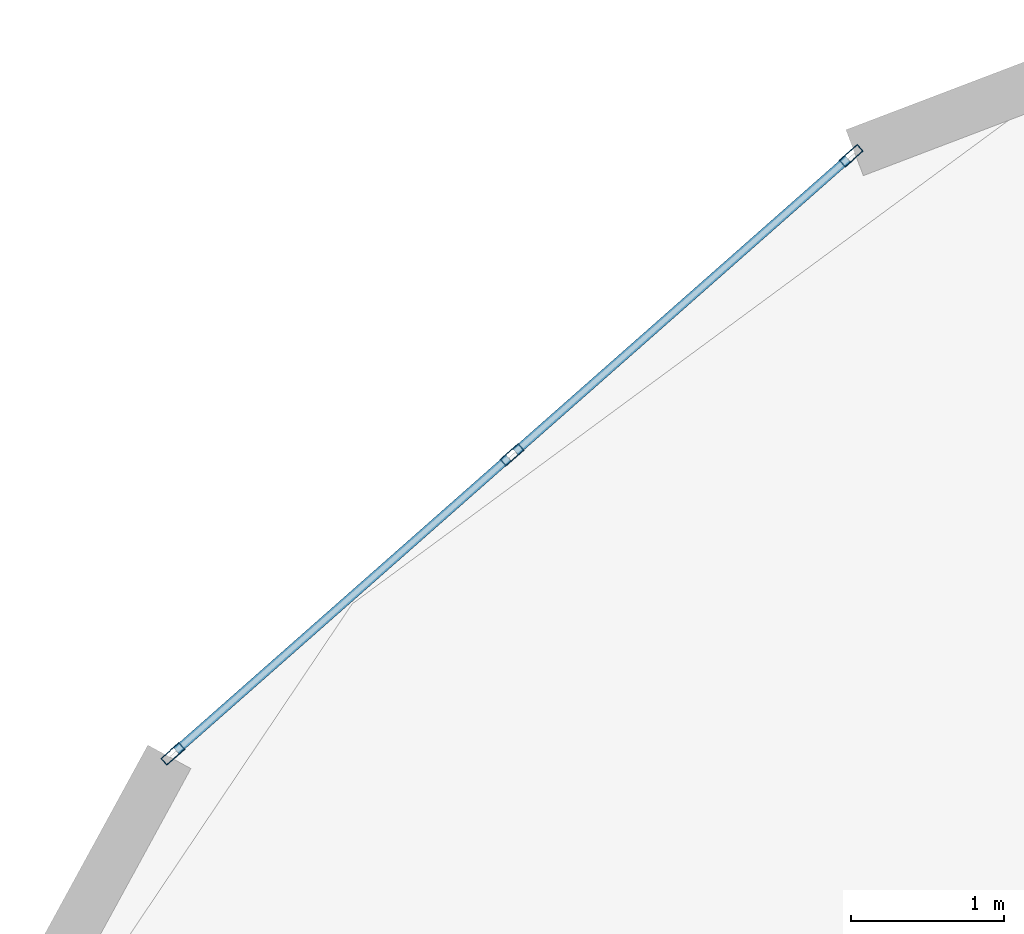
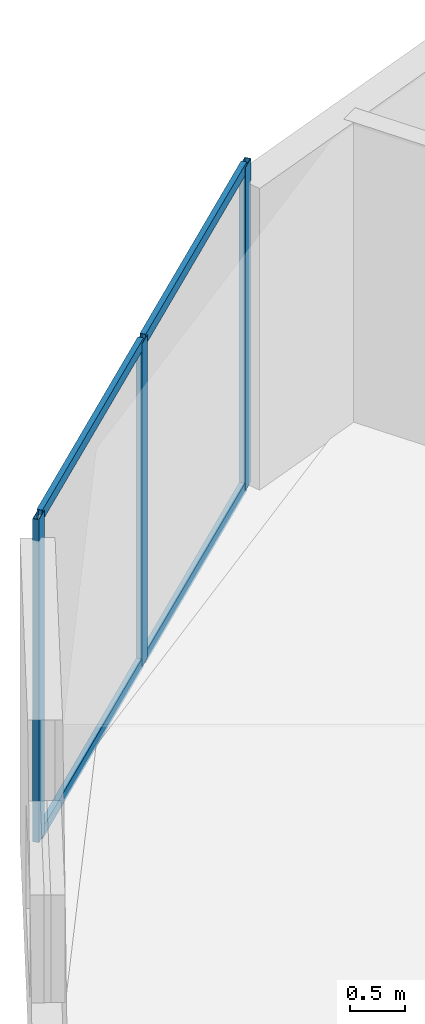
# One storey, part 9 of 18: 7 members, 1 element without a shape of its own.
"""IFC4 building model written with IfcOpenShell, lengths in metres."""

from ifc_helpers import new_model, si_unit, direction, frame, origin, origin_2d, place, context, subcontext, project, spatial, hollow_rectangle, extrude, source, transform, mapped, material, layer, layer_set, material_profile, profile_set, type_object, element, aggregate, save


model = new_model("IFC4")

# Units and contexts
model_context = context("Model", 3, precision=1e-05, world=origin(), true_north=direction((0.0, 1.0)))
body_context = subcontext(model_context, "Body", "Model", "MODEL_VIEW")
ifc_project = project(units=[si_unit("LENGTHUNIT", "METRE"), si_unit("AREAUNIT", "SQUARE_METRE"), si_unit("VOLUMEUNIT", "CUBIC_METRE"), si_unit("PLANEANGLEUNIT", "RADIAN"), si_unit("MASSUNIT", "GRAM", prefix="KILO")], contexts=[model_context])

# Site, building, storey
site_placement = place(None, origin())
site = spatial("IfcSite", under=ifc_project, at=site_placement, CompositionType="ELEMENT")
building_placement = place(site_placement, origin())
building = spatial("IfcBuilding", under=site, at=building_placement, Name="Solvirekh Grand Hotel", CompositionType="ELEMENT")
storey_placement = place(building_placement, frame((0.0, 0.0, 187.60009765625)))
storey = spatial("IfcBuildingStorey", under=building, at=storey_placement, Name="L48", CompositionType="ELEMENT", Elevation=187.60009765625)

# Curtain wall, members
ifc_material = material(Name="Anodized Bronze Aluminium 6063-T6", Category="aluminium")
ifc_layer = layer(ifc_material, 0.159912109375)
ifc_layer_set = layer_set([ifc_layer], Name="Anodized Bronze Aluminium 6063-T6")
curtain_wall_type = type_object("IfcCurtainWallType", Name="CW_Sys4_HighZoneFlushBronzeCW", PredefinedType="NOTDEFINED", material=ifc_layer_set)
curtain_wall_placement = place(storey_placement, origin())
curtain_wall = element("IfcCurtainWall", 1, at=curtain_wall_placement, inside=storey, type_object=curtain_wall_type, Name="L48 unitised bronze-glass curtain wall CW-L48-C11", PredefinedType="NOTDEFINED")
ifc_material_profile_1 = material_profile(ifc_material, hollow_rectangle(XDim=0.06005859375, YDim=0.159912109375, WallThickness=0.0048828125, at=origin_2d()), Name="ALU RHS 160X60X5")
ifc_profile_set_1 = profile_set([ifc_material_profile_1], Name="Anodized Bronze Aluminium 6063-T6")
member_type_1 = type_object("IfcMemberType", Name="CWMullion_Sys4", PredefinedType="MULLION", material=ifc_profile_set_1)
shared_shape_1 = source(origin(), body_context, "Body", "SweptSolid", [
    extrude(hollow_rectangle(XDim=0.06005859375, YDim=0.159912109375, WallThickness=0.0048828125, at=origin_2d()), origin(), (0.0, 0.0, 1.0), 3.599853515625),
])
member_1_placement = place(storey_placement, frame((-12.41357421875, 18.60009765625, 0.0), z_axis=(0.0, 0.0, 1.0), x_axis=(0.66130009529, -0.750121446147, 0.0)))
member_1 = element("IfcMember", 2, at=member_1_placement, type_object=member_type_1, Name="U04 mullion 1", PredefinedType="MULLION", context=body_context, shape_type="MappedRepresentation", body=[
    mapped(shared_shape_1, transform((0.0, 0.0, 0.0), x_axis=(1.0, 0.0, 0.0), y_axis=(0.0, 1.0, 0.0), z_axis=(0.0, 0.0, 1.0), scale=1.0)),
])
member_2_placement = place(storey_placement, frame((-14.62890625, 16.64697265625, 0.0), z_axis=(0.0, 0.0, 1.0), x_axis=(0.66130009529, -0.750121446147, 0.0)))
member_2 = element("IfcMember", 3, at=member_2_placement, type_object=member_type_1, Name="U04 mullion 2", PredefinedType="MULLION", context=body_context, shape_type="MappedRepresentation", body=[
    mapped(shared_shape_1, transform((0.0, 0.0, 0.0), x_axis=(1.0, 0.0, 0.0), y_axis=(0.0, 1.0, 0.0), z_axis=(0.0, 0.0, 1.0), scale=1.0)),
])
member_3_placement = place(storey_placement, frame((-16.844482421875, 14.69384765625, 0.0), z_axis=(0.0, 0.0, 1.0), x_axis=(0.66130009529, -0.750121446147, 0.0)))
member_3 = element("IfcMember", 4, at=member_3_placement, type_object=member_type_1, Name="U04 mullion 3", PredefinedType="MULLION", context=body_context, shape_type="MappedRepresentation", body=[
    mapped(shared_shape_1, transform((0.0, 0.0, 0.0), x_axis=(1.0, 0.0, 0.0), y_axis=(0.0, 1.0, 0.0), z_axis=(0.0, 0.0, 1.0), scale=1.0)),
])
ifc_material_profile_2 = material_profile(ifc_material, hollow_rectangle(XDim=0.054931640625, YDim=0.1201171875, WallThickness=0.00390625, at=origin_2d()), Name="ALU RHS 120X55X4")
ifc_profile_set_2 = profile_set([ifc_material_profile_2], Name="Anodized Bronze Aluminium 6063-T6")
member_type_2 = type_object("IfcMemberType", Name="CWTransom_Sys4", PredefinedType="USERDEFINED", material=ifc_profile_set_2)
shared_shape_2 = source(origin(), body_context, "Body", "SweptSolid", [
    extrude(hollow_rectangle(XDim=0.054931640625, YDim=0.1201171875, WallThickness=0.00390625, at=origin_2d()), origin(), (0.0, 0.0, 1.0), 2.8935546875),
])
member_4_placement = place(storey_placement, frame((-12.43603515625, 18.580322265625, 0.02734375), z_axis=(-0.75009387901, -0.661331363744, 0.0), x_axis=(0.661331363744, -0.75009387901, 0.0)))
member_4 = element("IfcMember", 5, at=member_4_placement, type_object=member_type_2, Name="U04 transom 1.1", ObjectType="TRANSOM", PredefinedType="USERDEFINED", context=body_context, shape_type="MappedRepresentation", body=[
    mapped(shared_shape_2, transform((0.0, 0.0, 0.0), x_axis=(1.0, 0.0, 0.0), y_axis=(0.0, 1.0, 0.0), z_axis=(0.0, 0.0, 1.0), scale=1.0)),
])
member_5_placement = place(storey_placement, frame((-12.43603515625, 18.580322265625, 3.572509765625), z_axis=(-0.75009387901, -0.661331363744, 0.0), x_axis=(0.661331363744, -0.75009387901, 0.0)))
member_5 = element("IfcMember", 6, at=member_5_placement, type_object=member_type_2, Name="U04 transom 1.2", ObjectType="TRANSOM", PredefinedType="USERDEFINED", context=body_context, shape_type="MappedRepresentation", body=[
    mapped(shared_shape_2, transform((0.0, 0.0, 0.0), x_axis=(1.0, 0.0, 0.0), y_axis=(0.0, 1.0, 0.0), z_axis=(0.0, 0.0, 1.0), scale=1.0)),
])
member_6_placement = place(storey_placement, frame((-14.651611328125, 16.627197265625, 0.02734375), z_axis=(-0.75009387901, -0.661331363744, 0.0), x_axis=(0.661331363744, -0.75009387901, 0.0)))
member_6 = element("IfcMember", 7, at=member_6_placement, type_object=member_type_2, Name="U04 transom 2.1", ObjectType="TRANSOM", PredefinedType="USERDEFINED", context=body_context, shape_type="MappedRepresentation", body=[
    mapped(shared_shape_2, transform((0.0, 0.0, 0.0), x_axis=(1.0, 0.0, 0.0), y_axis=(0.0, 1.0, 0.0), z_axis=(0.0, 0.0, 1.0), scale=1.0)),
])
member_7_placement = place(storey_placement, frame((-14.651611328125, 16.627197265625, 3.572509765625), z_axis=(-0.75009387901, -0.661331363744, 0.0), x_axis=(0.661331363744, -0.75009387901, 0.0)))
member_7 = element("IfcMember", 8, at=member_7_placement, type_object=member_type_2, Name="U04 transom 2.2", ObjectType="TRANSOM", PredefinedType="USERDEFINED", context=body_context, shape_type="MappedRepresentation", body=[
    mapped(shared_shape_2, transform((0.0, 0.0, 0.0), x_axis=(1.0, 0.0, 0.0), y_axis=(0.0, 1.0, 0.0), z_axis=(0.0, 0.0, 1.0), scale=1.0)),
])
aggregate(curtain_wall, [member_1, member_2, member_3, member_4, member_5, member_6, member_7])

save(model, "model.ifc")
